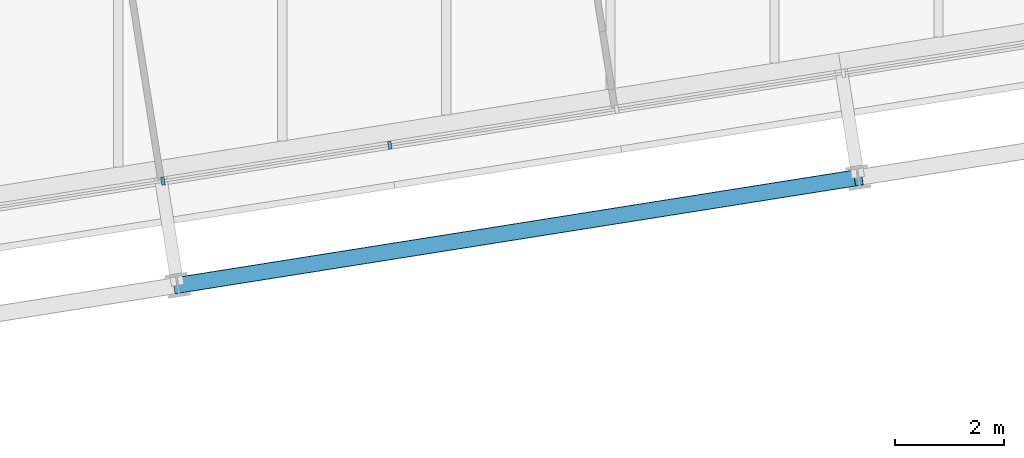
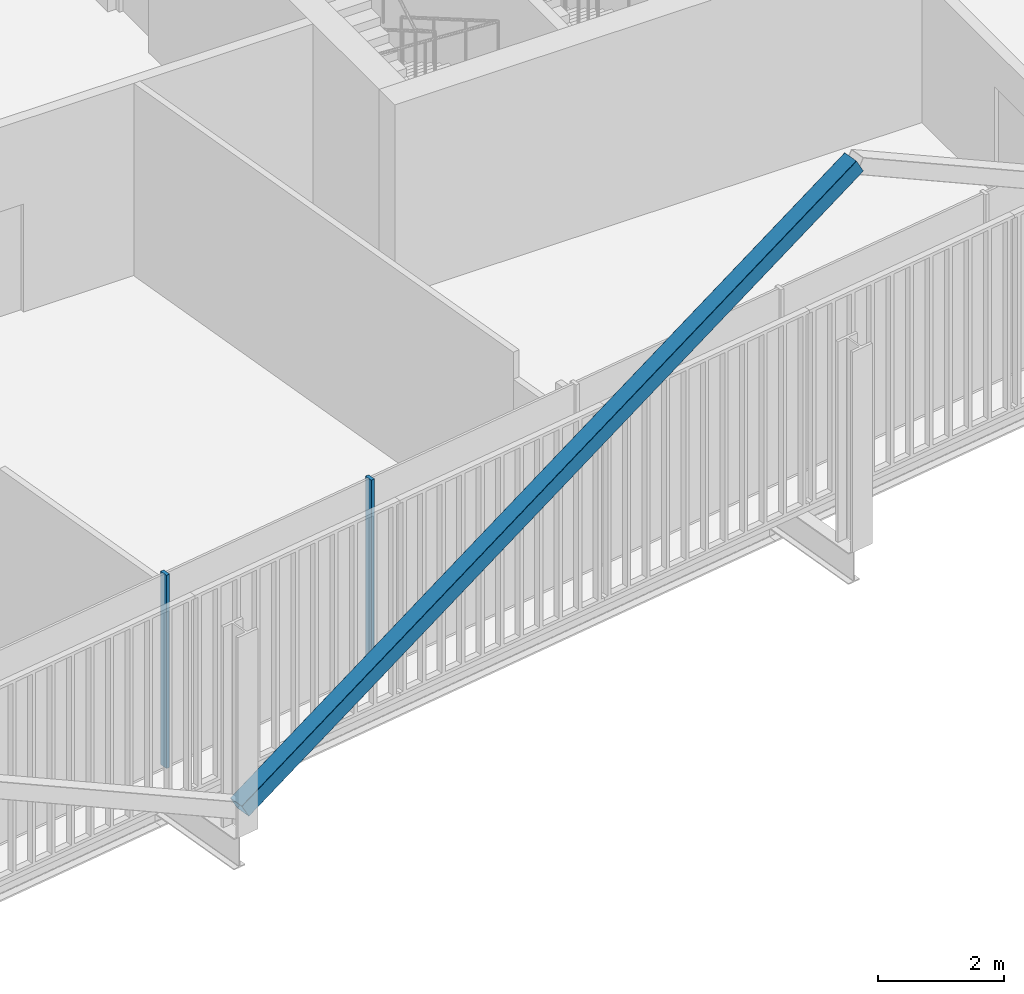
# One storey, part 3 of 21: 3 members, 1 element without a shape of its own.
"""IFC4 building model written with IfcOpenShell, lengths in metres."""

import ifcopenshell
import ifcopenshell.guid

model = None  # the IFC model being written
_history = None  # IfcOwnerHistory: only IFC2X3 demands one
_inside = {}  # id of a spatial element -> (the spatial element, [elements in it])
_under = {}  # id of a project, library or spatial element -> (it, [spatial elements below it])
_declared = {}  # id of a project -> (the project, [libraries it declares])
_typed = {}  # id of a type object -> (the type object, [elements of that type])
_made_of = {}  # id of a material, layer set ... -> (it, [elements and type objects made of it])


def new_model(schema):
    """Start an empty IFC model of exactly this schema.

    Asked for "IFC4X3", IfcOpenShell would pick the latest addendum, in which some entities
    have other attributes; the version numbers below select the first issue.
    IFC2X3 requires an IfcOwnerHistory on every rooted entity: one is made here for all.
    """
    global model, _history
    if schema == "IFC4X3":
        model = ifcopenshell.file(schema_version=(4, 3, 0, 0))
    else:
        model = ifcopenshell.file(schema=schema)
    _inside.clear()
    _under.clear()
    _declared.clear()
    _typed.clear()
    _made_of.clear()
    _history = None
    if model.schema == "IFC2X3":
        org = make("IfcOrganization", Name="unknown")
        user = make(
            "IfcPersonAndOrganization",
            ThePerson=make("IfcPerson", FamilyName="unknown"),
            TheOrganization=org,
        )
        app = make(
            "IfcApplication",
            ApplicationDeveloper=org,
            Version="unknown",
            ApplicationFullName="unknown",
            ApplicationIdentifier="unknown",
        )
        _history = make(
            "IfcOwnerHistory",
            OwningUser=user,
            OwningApplication=app,
            ChangeAction="ADDED",
            CreationDate=0,
        )
    return model


def make(cls, **values):
    """One entity of the class cls with the attributes given. An attribute that is None is left unset."""
    return model.create_entity(
        cls, **{name: value for name, value in values.items() if value is not None}
    )


def rooted(cls, **values):
    """An entity with a GlobalId (a new one), such as an element, a storey or a relation."""
    return make(cls, GlobalId=ifcopenshell.guid.new(), OwnerHistory=_history, **values)


def si_unit(unit_type, name, prefix=None):
    """IfcSIUnit, for example si_unit("LENGTHUNIT", "METRE", prefix="MILLI")."""
    return make("IfcSIUnit", UnitType=unit_type, Prefix=prefix, Name=name)


def assignment(units):
    """IfcUnitAssignment: the units of a project."""
    return None if units is None else make("IfcUnitAssignment", Units=units)


def point(xyz):
    """IfcCartesianPoint."""
    return None if xyz is None else make("IfcCartesianPoint", Coordinates=xyz)


def direction(xyz):
    """IfcDirection."""
    return None if xyz is None else make("IfcDirection", DirectionRatios=xyz)


def frame(location, z_axis=None, x_axis=None):
    """IfcAxis2Placement3D, a coordinate frame: its origin and axes. An axis left out is left unset."""
    return make(
        "IfcAxis2Placement3D",
        Location=point(location),
        Axis=direction(z_axis),
        RefDirection=direction(x_axis),
    )


def frame_2d(location, x_axis=None):
    """IfcAxis2Placement2D, a coordinate frame in the plane: its origin and x axis."""
    return make(
        "IfcAxis2Placement2D", Location=point(location), RefDirection=direction(x_axis)
    )


def origin():
    """The frame at (0, 0, 0) with its axes left unset."""
    return frame((0.0, 0.0, 0.0))


def origin_2d():
    """The frame at (0, 0) in the plane with its x axis left unset."""
    return frame_2d((0.0, 0.0))


def place(relative_to, where):
    """IfcLocalPlacement: puts the frame where relative to a parent placement (None: the world)."""
    return make(
        "IfcLocalPlacement", PlacementRelTo=relative_to, RelativePlacement=where
    )


def context(
    kind, dimensions, precision=None, world=None, true_north=None, identifier=None
):
    """IfcGeometricRepresentationContext, for example the 3D "Model" context."""
    return make(
        "IfcGeometricRepresentationContext",
        ContextIdentifier=identifier,
        ContextType=kind,
        CoordinateSpaceDimension=dimensions,
        Precision=precision,
        WorldCoordinateSystem=world,
        TrueNorth=true_north,
    )


def subcontext(parent, identifier, kind, view, scale=None):
    """IfcGeometricRepresentationSubContext, for example "Body" below "Model"."""
    return make(
        "IfcGeometricRepresentationSubContext",
        ContextIdentifier=identifier,
        ContextType=kind,
        ParentContext=parent,
        TargetScale=scale,
        TargetView=view,
    )


def project(units=None, contexts=None):
    """IfcProject with its units and contexts."""
    return rooted(
        "IfcProject",
        Name="project",
        RepresentationContexts=contexts,
        UnitsInContext=assignment(units),
    )


def spatial(cls, under=None, at=None, **own):
    """A site, building, storey or space (cls), placed at a placement, below another one or the project."""
    s = rooted(cls, ObjectPlacement=at, **own)
    if under is not None:
        _under.setdefault(under.id(), (under, []))[1].append(s)
    return s


def profile(cls, at=None, kind="AREA", **sizes):
    """A parametric profile (cls). Its sizes go by their IFC names, for example OverallWidth=200.0."""
    return make(cls, ProfileType=kind, Position=at, **sizes)


def rectangle(**sizes):
    """IfcRectangleProfileDef."""
    return profile("IfcRectangleProfileDef", **sizes)


def hollow_rectangle(**sizes):
    """IfcRectangleHollowProfileDef."""
    return profile("IfcRectangleHollowProfileDef", **sizes)


def extrude(swept, where, along, depth):
    """IfcExtrudedAreaSolid: the profile swept, set in the frame where, extruded along a direction by depth."""
    return make(
        "IfcExtrudedAreaSolid",
        SweptArea=swept,
        Position=where,
        ExtrudedDirection=direction(along),
        Depth=depth,
    )


def shape(context_of_items, identifier, shape_type, items):
    """IfcShapeRepresentation: the items that make up one representation, for example the "Body"."""
    return make(
        "IfcShapeRepresentation",
        ContextOfItems=context_of_items,
        RepresentationIdentifier=identifier,
        RepresentationType=shape_type,
        Items=items,
    )


def material(Name=None, Category=None):
    """IfcMaterial."""
    return make("IfcMaterial", Name=Name, Category=Category)


def layer(
    of_material, thickness, ventilated=None, Name=None, Category=None, Priority=None
):
    """IfcMaterialLayer: one layer of a wall or slab, of a material (None: an air gap)."""
    return make(
        "IfcMaterialLayer",
        Material=of_material,
        LayerThickness=thickness,
        IsVentilated=ventilated,
        Name=Name,
        Category=Category,
        Priority=Priority,
    )


def layer_set(layers, Name=None):
    """IfcMaterialLayerSet."""
    return make("IfcMaterialLayerSet", MaterialLayers=layers, LayerSetName=Name)


def material_profile(
    of_material, cross_section, Name=None, Category=None, Priority=None
):
    """IfcMaterialProfile: a cross section and its material."""
    return make(
        "IfcMaterialProfile",
        Name=Name,
        Material=of_material,
        Profile=cross_section,
        Priority=Priority,
        Category=Category,
    )


def profile_set(profiles, Name=None, composite=None):
    """IfcMaterialProfileSet."""
    return make(
        "IfcMaterialProfileSet",
        Name=Name,
        MaterialProfiles=profiles,
        CompositeProfile=composite,
    )


def made_of(thing, what):
    """Note that an element or type object is made of a material, layer set ...; save() writes the relation."""
    if what is not None:
        _made_of.setdefault(what.id(), (what, []))[1].append(thing)
    return thing


def type_object(cls, material=None, **own):
    """A type object (cls), such as IfcWallType, which elements share."""
    return made_of(rooted(cls, **own), material)


def element(
    cls,
    number,
    at=None,
    inside=None,
    cuts=None,
    type_object=None,
    material=None,
    context=None,
    identifier="Body",
    shape_type=None,
    held_by="IfcProductDefinitionShape",
    body=None,
    shapes=None,
    **own,
):
    """One element of the class cls, such as IfcWall. Its Tag is "e" and its number.

    at: its placement. inside: the storey or other place that contains it. cuts: it is an
    opening in that element (IfcRelVoidsElement). A single representation is given by context,
    identifier, shape_type and body (its items); several are given by shapes. held_by: the class
    of the entity that holds the representations. save() writes the other relations.
    """
    e = rooted(cls, Tag="e%d" % number, ObjectPlacement=at, **own)
    if body is not None:
        shapes = [shape(context, identifier, shape_type, body)]
    if shapes is not None:
        e.Representation = make(held_by, Representations=shapes)
    if inside is not None:
        _inside.setdefault(inside.id(), (inside, []))[1].append(e)
    if cuts is not None:
        rooted(
            "IfcRelVoidsElement", RelatingBuildingElement=cuts, RelatedOpeningElement=e
        )
    if type_object is not None:
        _typed.setdefault(type_object.id(), (type_object, []))[1].append(e)
    return made_of(e, material)


def aggregate(whole, parts):
    """IfcRelAggregates: a whole, such as a stair, and the parts it consists of."""
    return rooted("IfcRelAggregates", RelatingObject=whole, RelatedObjects=parts)


def save(model, path):
    """Write the relations noted so far, then the file.

    IfcRelAggregates (storeys below a building ...), IfcRelContainedInSpatialStructure (elements
    in a storey), IfcRelDefinesByType, IfcRelAssociatesMaterial and IfcRelDeclares: one each for
    every whole, place, type object, material and project.
    """
    for whole, parts in _under.values():
        aggregate(whole, parts)
    for where, things in _inside.values():
        rooted(
            "IfcRelContainedInSpatialStructure",
            RelatedElements=things,
            RelatingStructure=where,
        )
    for kind, things in _typed.values():
        rooted("IfcRelDefinesByType", RelatedObjects=things, RelatingType=kind)
    for what, things in _made_of.values():
        rooted("IfcRelAssociatesMaterial", RelatedObjects=things, RelatingMaterial=what)
    for by, libraries in _declared.values():
        rooted("IfcRelDeclares", RelatingContext=by, RelatedDefinitions=libraries)
    model.write(path)


model = new_model("IFC4")

# Units and contexts
model_context = context("Model", 3, precision=1e-05, world=origin(), true_north=direction((0.0, 1.0)))
body_context = subcontext(model_context, "Body", "Model", "MODEL_VIEW")
ifc_project = project(units=[si_unit("LENGTHUNIT", "METRE"), si_unit("AREAUNIT", "SQUARE_METRE"), si_unit("VOLUMEUNIT", "CUBIC_METRE"), si_unit("PLANEANGLEUNIT", "RADIAN"), si_unit("MASSUNIT", "GRAM", prefix="KILO")], contexts=[model_context])

# Site, building, storey
site_placement = place(None, origin())
site = spatial("IfcSite", under=ifc_project, at=site_placement, CompositionType="ELEMENT")
building_placement = place(site_placement, origin())
building = spatial("IfcBuilding", under=site, at=building_placement, Name="Millrace Tower", CompositionType="ELEMENT")
storey_placement = place(building_placement, frame((0.0, 0.0, 255.199951171875)))
storey = spatial("IfcBuildingStorey", under=building, at=storey_placement, Name="L58", CompositionType="ELEMENT", Elevation=255.199951171875)

# Curtain wall, members
ifc_material_1 = material(Name="Aluminium and glass", Category="aluminium")
ifc_layer = layer(ifc_material_1, 0.14990234375)
ifc_layer_set = layer_set([ifc_layer], Name="Aluminium and glass")
curtain_wall_type = type_object("IfcCurtainWallType", Name="CW-1 office vision curtain wall", PredefinedType="NOTDEFINED", material=ifc_layer_set)
curtain_wall_placement = place(storey_placement, origin())
curtain_wall = element("IfcCurtainWall", 1, at=curtain_wall_placement, inside=storey, type_object=curtain_wall_type, Name="Curtain wall D-F02 L58", PredefinedType="NOTDEFINED")
ifc_material_2 = material(Name="Aluminium", Category="aluminium")
ifc_material_profile_1 = material_profile(ifc_material_2, rectangle(XDim=0.06494140625, YDim=0.14990234375, at=origin_2d()))
ifc_profile_set_1 = profile_set([ifc_material_profile_1], Name="Aluminium")
member_type_1 = type_object("IfcMemberType", Name="CW-1 office vision curtain wall mullion", PredefinedType="MULLION", material=ifc_profile_set_1)
member_1_placement = place(storey_placement, frame((-5.1806640625, -19.021240234375, 0.14013671875), z_axis=(0.0, 0.0, 1.0), x_axis=(0.987688339511, 0.156434471884, 0.0)))
member_1 = element("IfcMember", 2, at=member_1_placement, type_object=member_type_1, Name="CW1 mullion D-F02.4", PredefinedType="MULLION", context=body_context, shape_type="SweptSolid", body=[
    extrude(rectangle(XDim=0.06494140625, YDim=0.14990234375, at=origin_2d()), origin(), (0.0, 0.0, 1.0), 3.760009765625),
])
member_2_placement = place(storey_placement, frame((-1.0322265625, -18.3642578125, 0.14013671875), z_axis=(0.0, 0.0, 1.0), x_axis=(0.987688339511, 0.156434471884, 0.0)))
member_2 = element("IfcMember", 3, at=member_2_placement, type_object=member_type_1, Name="CW1 mullion D-F02.5", PredefinedType="MULLION", context=body_context, shape_type="SweptSolid", body=[
    extrude(rectangle(XDim=0.06494140625, YDim=0.14990234375, at=origin_2d()), origin(), (0.0, 0.0, 1.0), 3.760009765625),
])
aggregate(curtain_wall, [member_1, member_2])

# Member
ifc_material_3 = material(Name="Steel ASTM A500 Grade C", Category="steel")
ifc_material_profile_2 = material_profile(ifc_material_3, hollow_rectangle(XDim=0.3046875, YDim=0.3046875, WallThickness=0.009521484375, InnerFilletRadius=0.004638671875, OuterFilletRadius=0.014404296875, at=origin_2d()))
ifc_profile_set_2 = profile_set([ifc_material_profile_2], Name="Steel ASTM A500 Grade C")
member_type_2 = type_object("IfcMemberType", Name="Exoskeleton brace HSS12x12x3/8", PredefinedType="BRACE", material=ifc_profile_set_2)
member_3_placement = place(storey_placement, frame((-4.91162109375, -20.927734375, 0.400146484375), z_axis=(0.863395126588, 0.136740080373, 0.485644937998), x_axis=(-0.156425232058, 0.987689802912, 0.0)))
element("IfcMember", 4, at=member_3_placement, inside=storey, type_object=member_type_2, Name="BRC-D-L58-03", PredefinedType="BRACE", context=body_context, shape_type="SweptSolid", body=[
    extrude(hollow_rectangle(XDim=0.3046875, YDim=0.3046875, WallThickness=0.009521484375, InnerFilletRadius=0.004638671875, OuterFilletRadius=0.014404296875, at=origin_2d()), origin(), (0.0, 0.0, 1.0), 14.413818359375),
])

save(model, "model.ifc")
